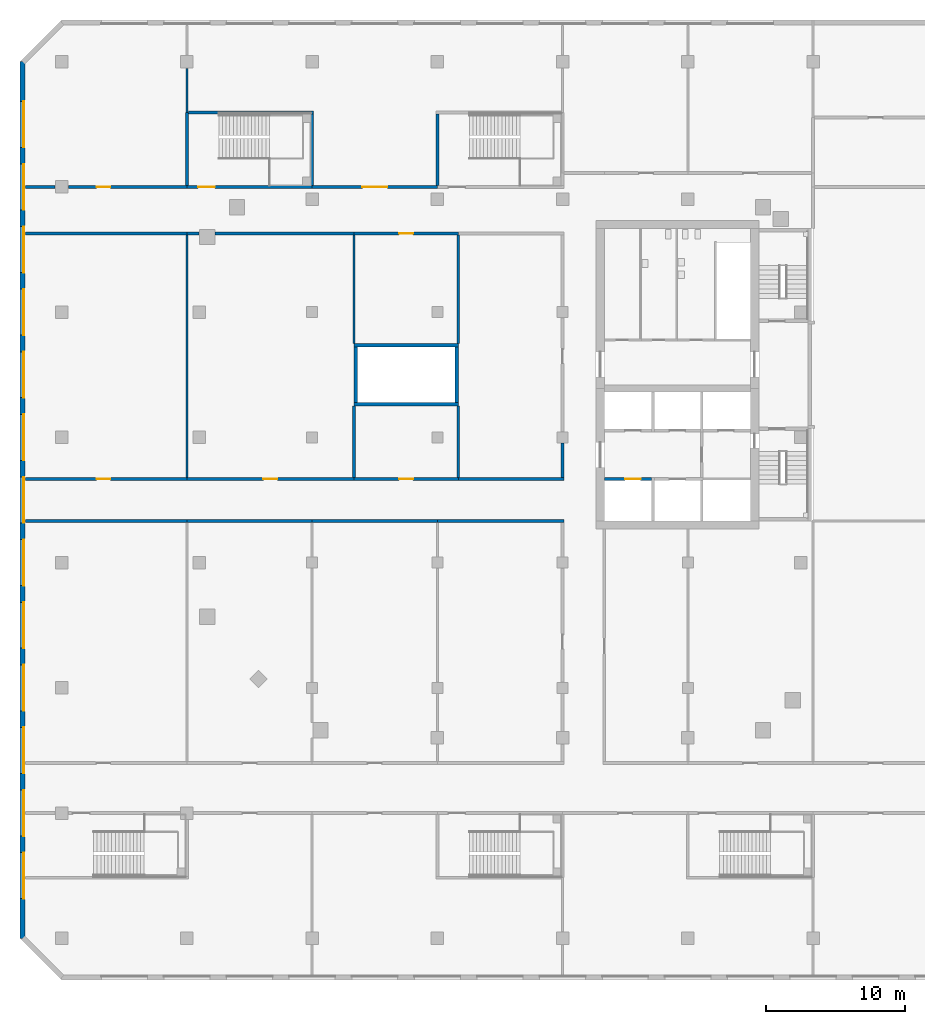
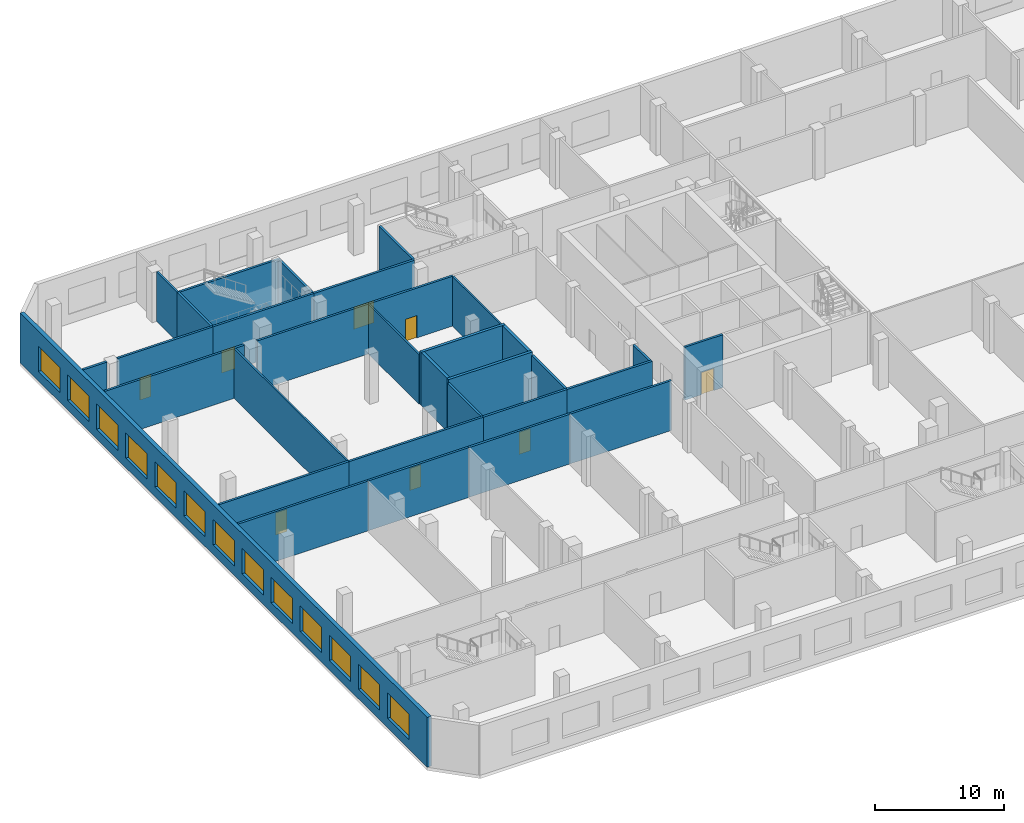
# One storey, part 5 of 21: 33 walls, 13 windows, 8 doors, 21 openings.
"""IFC4 building model written with IfcOpenShell, lengths in metres."""

from ifc_helpers import new_model, si_unit, direction, frame, frame_2d, origin, place, context, subcontext, project, spatial, rectangle, extrude, material, layer, layer_set, type_object, element, fill, save


model = new_model("IFC4")

# Units and contexts
model_context = context("Model", 3, precision=1e-05, world=origin(), true_north=direction((0.0, 1.0)))
body_context = subcontext(model_context, "Body", "Model", "MODEL_VIEW")
ifc_project = project(units=[si_unit("LENGTHUNIT", "METRE"), si_unit("AREAUNIT", "SQUARE_METRE"), si_unit("VOLUMEUNIT", "CUBIC_METRE"), si_unit("PLANEANGLEUNIT", "RADIAN"), si_unit("MASSUNIT", "GRAM", prefix="KILO")], contexts=[model_context])

# Site, building, storey
site_placement = place(None, origin())
site = spatial("IfcSite", under=ifc_project, at=site_placement, CompositionType="ELEMENT")
building_placement = place(site_placement, origin())
building = spatial("IfcBuilding", under=site, at=building_placement, Name="Cinnabar Reach Civic Tower", CompositionType="ELEMENT")
storey_placement = place(building_placement, frame((0.0, 0.0, 11.0)))
storey = spatial("IfcBuildingStorey", under=building, at=storey_placement, Name="L02", CompositionType="ELEMENT", Elevation=11.0)

# Wall, openings, windows
ifc_material_1 = material(Name="Facing brick with insulated backing", Category="masonry")
ifc_layer_1 = layer(ifc_material_1, 0.36)
ifc_layer_set_1 = layer_set([ifc_layer_1], Name="Brick pier and spandrel wall")
wall_type_1 = type_object("IfcWallType", Name="Brick pier and spandrel wall", PredefinedType="STANDARD", material=ifc_layer_set_1)
wall_1_placement = place(storey_placement, frame((-83.82, 54.0, 0.0), z_axis=(0.0, 0.0, 1.0), x_axis=(0.0, -1.0, 0.0)))
wall_1 = element("IfcWall", 1, at=wall_1_placement, inside=storey, type_object=wall_type_1, Name="Brick facade wall", PredefinedType="STANDARD", context=body_context, shape_type="SweptSolid", body=[
    extrude(rectangle(XDim=63.0, YDim=0.36, at=frame_2d((31.5, 0.0))), origin(), (0.0, 0.0, 1.0), 4.7),
])
opening_1_placement = place(wall_1_placement, frame((2.85, 0.0, 0.9)))
opening_1 = element("IfcOpeningElement", 2, at=opening_1_placement, cuts=wall_1, Name="Opening W3000", PredefinedType="OPENING", context=body_context, shape_type="SweptSolid", body=[
    extrude(rectangle(XDim=3.3, YDim=2.4, at=frame_2d((1.65, 1.2))), frame((0.0, 0.19, 0.0), z_axis=(0.0, -1.0, 0.0), x_axis=(1.0, 0.0, 0.0)), (0.0, 0.0, 1.0), 0.38),
])
opening_2_placement = place(wall_1_placement, frame((7.35, 0.0, 0.9)))
opening_2 = element("IfcOpeningElement", 3, at=opening_2_placement, cuts=wall_1, Name="Opening W3001", PredefinedType="OPENING", context=body_context, shape_type="SweptSolid", body=[
    extrude(rectangle(XDim=3.3, YDim=2.4, at=frame_2d((1.65, 1.2))), frame((0.0, 0.19, 0.0), z_axis=(0.0, -1.0, 0.0), x_axis=(1.0, 0.0, 0.0)), (0.0, 0.0, 1.0), 0.38),
])
opening_3_placement = place(wall_1_placement, frame((11.85, 0.0, 0.9)))
opening_3 = element("IfcOpeningElement", 4, at=opening_3_placement, cuts=wall_1, Name="Opening W3002", PredefinedType="OPENING", context=body_context, shape_type="SweptSolid", body=[
    extrude(rectangle(XDim=3.3, YDim=2.4, at=frame_2d((1.65, 1.2))), frame((0.0, 0.19, 0.0), z_axis=(0.0, -1.0, 0.0), x_axis=(1.0, 0.0, 0.0)), (0.0, 0.0, 1.0), 0.38),
])
opening_4_placement = place(wall_1_placement, frame((16.35, 0.0, 0.9)))
opening_4 = element("IfcOpeningElement", 5, at=opening_4_placement, cuts=wall_1, Name="Opening W3003", PredefinedType="OPENING", context=body_context, shape_type="SweptSolid", body=[
    extrude(rectangle(XDim=3.3, YDim=2.4, at=frame_2d((1.65, 1.2))), frame((0.0, 0.19, 0.0), z_axis=(0.0, -1.0, 0.0), x_axis=(1.0, 0.0, 0.0)), (0.0, 0.0, 1.0), 0.38),
])
opening_5_placement = place(wall_1_placement, frame((20.85, 0.0, 0.9)))
opening_5 = element("IfcOpeningElement", 6, at=opening_5_placement, cuts=wall_1, Name="Opening W3004", PredefinedType="OPENING", context=body_context, shape_type="SweptSolid", body=[
    extrude(rectangle(XDim=3.3, YDim=2.4, at=frame_2d((1.65, 1.2))), frame((0.0, 0.19, 0.0), z_axis=(0.0, -1.0, 0.0), x_axis=(1.0, 0.0, 0.0)), (0.0, 0.0, 1.0), 0.38),
])
opening_6_placement = place(wall_1_placement, frame((25.35, 0.0, 0.9)))
opening_6 = element("IfcOpeningElement", 7, at=opening_6_placement, cuts=wall_1, Name="Opening W3005", PredefinedType="OPENING", context=body_context, shape_type="SweptSolid", body=[
    extrude(rectangle(XDim=3.3, YDim=2.4, at=frame_2d((1.65, 1.2))), frame((0.0, 0.19, 0.0), z_axis=(0.0, -1.0, 0.0), x_axis=(1.0, 0.0, 0.0)), (0.0, 0.0, 1.0), 0.38),
])
opening_7_placement = place(wall_1_placement, frame((29.85, 0.0, 0.9)))
opening_7 = element("IfcOpeningElement", 8, at=opening_7_placement, cuts=wall_1, Name="Opening W3006", PredefinedType="OPENING", context=body_context, shape_type="SweptSolid", body=[
    extrude(rectangle(XDim=3.3, YDim=2.4, at=frame_2d((1.65, 1.2))), frame((0.0, 0.19, 0.0), z_axis=(0.0, -1.0, 0.0), x_axis=(1.0, 0.0, 0.0)), (0.0, 0.0, 1.0), 0.38),
])
opening_8_placement = place(wall_1_placement, frame((34.35, 0.0, 0.9)))
opening_8 = element("IfcOpeningElement", 9, at=opening_8_placement, cuts=wall_1, Name="Opening W3007", PredefinedType="OPENING", context=body_context, shape_type="SweptSolid", body=[
    extrude(rectangle(XDim=3.3, YDim=2.4, at=frame_2d((1.65, 1.2))), frame((0.0, 0.19, 0.0), z_axis=(0.0, -1.0, 0.0), x_axis=(1.0, 0.0, 0.0)), (0.0, 0.0, 1.0), 0.38),
])
opening_9_placement = place(wall_1_placement, frame((38.85, 0.0, 0.9)))
opening_9 = element("IfcOpeningElement", 10, at=opening_9_placement, cuts=wall_1, Name="Opening W3008", PredefinedType="OPENING", context=body_context, shape_type="SweptSolid", body=[
    extrude(rectangle(XDim=3.3, YDim=2.4, at=frame_2d((1.65, 1.2))), frame((0.0, 0.19, 0.0), z_axis=(0.0, -1.0, 0.0), x_axis=(1.0, 0.0, 0.0)), (0.0, 0.0, 1.0), 0.38),
])
opening_10_placement = place(wall_1_placement, frame((43.35, 0.0, 0.9)))
opening_10 = element("IfcOpeningElement", 11, at=opening_10_placement, cuts=wall_1, Name="Opening W3009", PredefinedType="OPENING", context=body_context, shape_type="SweptSolid", body=[
    extrude(rectangle(XDim=3.3, YDim=2.4, at=frame_2d((1.65, 1.2))), frame((0.0, 0.19, 0.0), z_axis=(0.0, -1.0, 0.0), x_axis=(1.0, 0.0, 0.0)), (0.0, 0.0, 1.0), 0.38),
])
opening_11_placement = place(wall_1_placement, frame((47.85, 0.0, 0.9)))
opening_11 = element("IfcOpeningElement", 12, at=opening_11_placement, cuts=wall_1, Name="Opening W3010", PredefinedType="OPENING", context=body_context, shape_type="SweptSolid", body=[
    extrude(rectangle(XDim=3.3, YDim=2.4, at=frame_2d((1.65, 1.2))), frame((0.0, 0.19, 0.0), z_axis=(0.0, -1.0, 0.0), x_axis=(1.0, 0.0, 0.0)), (0.0, 0.0, 1.0), 0.38),
])
opening_12_placement = place(wall_1_placement, frame((52.35, 0.0, 0.9)))
opening_12 = element("IfcOpeningElement", 13, at=opening_12_placement, cuts=wall_1, Name="Opening W3011", PredefinedType="OPENING", context=body_context, shape_type="SweptSolid", body=[
    extrude(rectangle(XDim=3.3, YDim=2.4, at=frame_2d((1.65, 1.2))), frame((0.0, 0.19, 0.0), z_axis=(0.0, -1.0, 0.0), x_axis=(1.0, 0.0, 0.0)), (0.0, 0.0, 1.0), 0.38),
])
opening_13_placement = place(wall_1_placement, frame((56.85, 0.0, 0.9)))
opening_13 = element("IfcOpeningElement", 14, at=opening_13_placement, cuts=wall_1, Name="Opening W3012", PredefinedType="OPENING", context=body_context, shape_type="SweptSolid", body=[
    extrude(rectangle(XDim=3.3, YDim=2.4, at=frame_2d((1.65, 1.2))), frame((0.0, 0.19, 0.0), z_axis=(0.0, -1.0, 0.0), x_axis=(1.0, 0.0, 0.0)), (0.0, 0.0, 1.0), 0.38),
])
ifc_material_2 = material(Name="Clear double glazing in aluminium frame", Category="aluminium")
window_type = type_object("IfcWindowType", Name="Podium window P", PartitioningType="SINGLE_PANEL", PredefinedType="WINDOW", material=ifc_material_2)
window_1_placement = place(opening_1_placement, origin())
window_1 = element("IfcWindow", 15, at=window_1_placement, inside=storey, type_object=window_type, Name="Window west face", OverallHeight=2.4, OverallWidth=3.3, PartitioningType="SINGLE_PANEL", PredefinedType="WINDOW", context=body_context, shape_type="SweptSolid", body=[
    extrude(rectangle(XDim=3.3, YDim=2.4, at=frame_2d((1.65, 1.2))), frame((0.0, 0.13, 0.0), z_axis=(0.0, -1.0, 0.0), x_axis=(1.0, 0.0, 0.0)), (0.0, 0.0, 1.0), 0.06),
])
fill(opening_1, window_1)
window_2_placement = place(opening_2_placement, origin())
window_2 = element("IfcWindow", 16, at=window_2_placement, inside=storey, type_object=window_type, Name="Window west face", OverallHeight=2.4, OverallWidth=3.3, PartitioningType="SINGLE_PANEL", PredefinedType="WINDOW", context=body_context, shape_type="SweptSolid", body=[
    extrude(rectangle(XDim=3.3, YDim=2.4, at=frame_2d((1.65, 1.2))), frame((0.0, 0.13, 0.0), z_axis=(0.0, -1.0, 0.0), x_axis=(1.0, 0.0, 0.0)), (0.0, 0.0, 1.0), 0.06),
])
fill(opening_2, window_2)
window_3_placement = place(opening_3_placement, origin())
window_3 = element("IfcWindow", 17, at=window_3_placement, inside=storey, type_object=window_type, Name="Window west face", OverallHeight=2.4, OverallWidth=3.3, PartitioningType="SINGLE_PANEL", PredefinedType="WINDOW", context=body_context, shape_type="SweptSolid", body=[
    extrude(rectangle(XDim=3.3, YDim=2.4, at=frame_2d((1.65, 1.2))), frame((0.0, 0.13, 0.0), z_axis=(0.0, -1.0, 0.0), x_axis=(1.0, 0.0, 0.0)), (0.0, 0.0, 1.0), 0.06),
])
fill(opening_3, window_3)
window_4_placement = place(opening_4_placement, origin())
window_4 = element("IfcWindow", 18, at=window_4_placement, inside=storey, type_object=window_type, Name="Window west face", OverallHeight=2.4, OverallWidth=3.3, PartitioningType="SINGLE_PANEL", PredefinedType="WINDOW", context=body_context, shape_type="SweptSolid", body=[
    extrude(rectangle(XDim=3.3, YDim=2.4, at=frame_2d((1.65, 1.2))), frame((0.0, 0.13, 0.0), z_axis=(0.0, -1.0, 0.0), x_axis=(1.0, 0.0, 0.0)), (0.0, 0.0, 1.0), 0.06),
])
fill(opening_4, window_4)
window_5_placement = place(opening_5_placement, origin())
window_5 = element("IfcWindow", 19, at=window_5_placement, inside=storey, type_object=window_type, Name="Window west face", OverallHeight=2.4, OverallWidth=3.3, PartitioningType="SINGLE_PANEL", PredefinedType="WINDOW", context=body_context, shape_type="SweptSolid", body=[
    extrude(rectangle(XDim=3.3, YDim=2.4, at=frame_2d((1.65, 1.2))), frame((0.0, 0.13, 0.0), z_axis=(0.0, -1.0, 0.0), x_axis=(1.0, 0.0, 0.0)), (0.0, 0.0, 1.0), 0.06),
])
fill(opening_5, window_5)
window_6_placement = place(opening_6_placement, origin())
window_6 = element("IfcWindow", 20, at=window_6_placement, inside=storey, type_object=window_type, Name="Window west face", OverallHeight=2.4, OverallWidth=3.3, PartitioningType="SINGLE_PANEL", PredefinedType="WINDOW", context=body_context, shape_type="SweptSolid", body=[
    extrude(rectangle(XDim=3.3, YDim=2.4, at=frame_2d((1.65, 1.2))), frame((0.0, 0.13, 0.0), z_axis=(0.0, -1.0, 0.0), x_axis=(1.0, 0.0, 0.0)), (0.0, 0.0, 1.0), 0.06),
])
fill(opening_6, window_6)
window_7_placement = place(opening_7_placement, origin())
window_7 = element("IfcWindow", 21, at=window_7_placement, inside=storey, type_object=window_type, Name="Window west face", OverallHeight=2.4, OverallWidth=3.3, PartitioningType="SINGLE_PANEL", PredefinedType="WINDOW", context=body_context, shape_type="SweptSolid", body=[
    extrude(rectangle(XDim=3.3, YDim=2.4, at=frame_2d((1.65, 1.2))), frame((0.0, 0.13, 0.0), z_axis=(0.0, -1.0, 0.0), x_axis=(1.0, 0.0, 0.0)), (0.0, 0.0, 1.0), 0.06),
])
fill(opening_7, window_7)
window_8_placement = place(opening_8_placement, origin())
window_8 = element("IfcWindow", 22, at=window_8_placement, inside=storey, type_object=window_type, Name="Window west face", OverallHeight=2.4, OverallWidth=3.3, PartitioningType="SINGLE_PANEL", PredefinedType="WINDOW", context=body_context, shape_type="SweptSolid", body=[
    extrude(rectangle(XDim=3.3, YDim=2.4, at=frame_2d((1.65, 1.2))), frame((0.0, 0.13, 0.0), z_axis=(0.0, -1.0, 0.0), x_axis=(1.0, 0.0, 0.0)), (0.0, 0.0, 1.0), 0.06),
])
fill(opening_8, window_8)
window_9_placement = place(opening_9_placement, origin())
window_9 = element("IfcWindow", 23, at=window_9_placement, inside=storey, type_object=window_type, Name="Window west face", OverallHeight=2.4, OverallWidth=3.3, PartitioningType="SINGLE_PANEL", PredefinedType="WINDOW", context=body_context, shape_type="SweptSolid", body=[
    extrude(rectangle(XDim=3.3, YDim=2.4, at=frame_2d((1.65, 1.2))), frame((0.0, 0.13, 0.0), z_axis=(0.0, -1.0, 0.0), x_axis=(1.0, 0.0, 0.0)), (0.0, 0.0, 1.0), 0.06),
])
fill(opening_9, window_9)
window_10_placement = place(opening_10_placement, origin())
window_10 = element("IfcWindow", 24, at=window_10_placement, inside=storey, type_object=window_type, Name="Window west face", OverallHeight=2.4, OverallWidth=3.3, PartitioningType="SINGLE_PANEL", PredefinedType="WINDOW", context=body_context, shape_type="SweptSolid", body=[
    extrude(rectangle(XDim=3.3, YDim=2.4, at=frame_2d((1.65, 1.2))), frame((0.0, 0.13, 0.0), z_axis=(0.0, -1.0, 0.0), x_axis=(1.0, 0.0, 0.0)), (0.0, 0.0, 1.0), 0.06),
])
fill(opening_10, window_10)
window_11_placement = place(opening_11_placement, origin())
window_11 = element("IfcWindow", 25, at=window_11_placement, inside=storey, type_object=window_type, Name="Window west face", OverallHeight=2.4, OverallWidth=3.3, PartitioningType="SINGLE_PANEL", PredefinedType="WINDOW", context=body_context, shape_type="SweptSolid", body=[
    extrude(rectangle(XDim=3.3, YDim=2.4, at=frame_2d((1.65, 1.2))), frame((0.0, 0.13, 0.0), z_axis=(0.0, -1.0, 0.0), x_axis=(1.0, 0.0, 0.0)), (0.0, 0.0, 1.0), 0.06),
])
fill(opening_11, window_11)
window_12_placement = place(opening_12_placement, origin())
window_12 = element("IfcWindow", 26, at=window_12_placement, inside=storey, type_object=window_type, Name="Window west face", OverallHeight=2.4, OverallWidth=3.3, PartitioningType="SINGLE_PANEL", PredefinedType="WINDOW", context=body_context, shape_type="SweptSolid", body=[
    extrude(rectangle(XDim=3.3, YDim=2.4, at=frame_2d((1.65, 1.2))), frame((0.0, 0.13, 0.0), z_axis=(0.0, -1.0, 0.0), x_axis=(1.0, 0.0, 0.0)), (0.0, 0.0, 1.0), 0.06),
])
fill(opening_12, window_12)
window_13_placement = place(opening_13_placement, origin())
window_13 = element("IfcWindow", 27, at=window_13_placement, inside=storey, type_object=window_type, Name="Window west face", OverallHeight=2.4, OverallWidth=3.3, PartitioningType="SINGLE_PANEL", PredefinedType="WINDOW", context=body_context, shape_type="SweptSolid", body=[
    extrude(rectangle(XDim=3.3, YDim=2.4, at=frame_2d((1.65, 1.2))), frame((0.0, 0.13, 0.0), z_axis=(0.0, -1.0, 0.0), x_axis=(1.0, 0.0, 0.0)), (0.0, 0.0, 1.0), 0.06),
])
fill(opening_13, window_13)

# Walls
ifc_material_3 = material(Name="Concrete blockwork", Category="masonry")
ifc_layer_2 = layer(ifc_material_3, 0.2)
ifc_layer_set_2 = layer_set([ifc_layer_2], Name="Podium masonry corridor wall 200 EI 120")
wall_type_2 = type_object("IfcWallType", Name="Podium masonry corridor wall 200 EI 120", PredefinedType="PARTITIONING", material=ifc_layer_set_2)
wall_2_placement = place(storey_placement, frame((-45.0, 24.1, 0.0), z_axis=(0.0, 0.0, 1.0), x_axis=(0.0, 1.0, 0.0)))
element("IfcWall", 28, at=wall_2_placement, inside=storey, type_object=wall_type_2, Name="Wall L02 70", PredefinedType="PARTITIONING", context=body_context, shape_type="SweptSolid", body=[
    extrude(rectangle(XDim=2.48, YDim=0.2, at=frame_2d((1.24, 0.0))), origin(), (0.0, 0.0, 1.0), 4.7),
])
wall_3_placement = place(storey_placement, frame((-83.6, 21.0, 0.0), z_axis=(0.0, 0.0, 1.0), x_axis=(1.0, 0.0, 0.0)))
element("IfcWall", 29, at=wall_3_placement, inside=storey, type_object=wall_type_2, Name="Wall L02 73", PredefinedType="PARTITIONING", context=body_context, shape_type="SweptSolid", body=[
    extrude(rectangle(XDim=11.6, YDim=0.2, at=frame_2d((5.8, 0.0))), origin(), (0.0, 0.0, 1.0), 4.7),
])
for number, where, z_axis, x_axis, name in (
    (30, (-72.0, 21.0, 0.0), (0.0, 0.0, 1.0), (1.0, 0.0, 0.0), "Wall L02 74"),
    (31, (-63.0, 21.0, 0.0), (0.0, 0.0, 1.0), (1.0, 0.0, 0.0), "Wall L02 75"),
):
    element("IfcWall", number, at=place(storey_placement, frame(where, z_axis=z_axis, x_axis=x_axis)), inside=storey, type_object=wall_type_2, Name=name, PredefinedType="PARTITIONING", context=body_context, shape_type="SweptSolid", body=[
        extrude(rectangle(XDim=9.0, YDim=0.2, at=frame_2d((4.5, 0.0))), origin(), (0.0, 0.0, 1.0), 4.7),
    ])
wall_4_placement = place(storey_placement, frame((-54.0, 21.0, 0.0), z_axis=(0.0, 0.0, 1.0), x_axis=(1.0, 0.0, 0.0)))
element("IfcWall", 32, at=wall_4_placement, inside=storey, type_object=wall_type_2, Name="Wall L02 76", PredefinedType="PARTITIONING", context=body_context, shape_type="SweptSolid", body=[
    extrude(rectangle(XDim=9.1, YDim=0.2, at=frame_2d((4.55, 0.0))), origin(), (0.0, 0.0, 1.0), 4.7),
])

# Wall, opening, door
wall_5_placement = place(storey_placement, frame((-83.6, 24.0, 0.0), z_axis=(0.0, 0.0, 1.0), x_axis=(1.0, 0.0, 0.0)))
wall_5 = element("IfcWall", 33, at=wall_5_placement, inside=storey, type_object=wall_type_2, Name="Wall L02 77", PredefinedType="PARTITIONING", context=body_context, shape_type="SweptSolid", body=[
    extrude(rectangle(XDim=11.6, YDim=0.2, at=frame_2d((5.8, 0.0))), origin(), (0.0, 0.0, 1.0), 4.7),
])
opening_14_placement = place(wall_5_placement, frame((5.1, 0.0, 0.0)))
opening_14 = element("IfcOpeningElement", 34, at=opening_14_placement, cuts=wall_5, Name="Opening D1133", PredefinedType="OPENING", context=body_context, shape_type="SweptSolid", body=[
    extrude(rectangle(XDim=1.0, YDim=2.1, at=frame_2d((0.5, 1.05))), frame((0.0, 0.11, 0.0), z_axis=(0.0, -1.0, 0.0), x_axis=(1.0, 0.0, 0.0)), (0.0, 0.0, 1.0), 0.22),
])
ifc_material_4 = material(Name="Painted steel door leaf", Category="steel")
door_type_1 = type_object("IfcDoorType", Name="Podium single door 1000x2100", OperationType="SINGLE_SWING_LEFT", PredefinedType="DOOR", material=ifc_material_4)
door_1_placement = place(opening_14_placement, origin())
door_1 = element("IfcDoor", 35, at=door_1_placement, inside=storey, type_object=door_type_1, Name="Door D1133", OperationType="SINGLE_SWING_RIGHT", OverallHeight=2.1, OverallWidth=1.0, PredefinedType="DOOR", context=body_context, shape_type="SweptSolid", body=[
    extrude(rectangle(XDim=1.0, YDim=2.1, at=frame_2d((0.5, 1.05))), frame((0.0, 0.025, 0.0), z_axis=(0.0, -1.0, 0.0), x_axis=(1.0, 0.0, 0.0)), (0.0, 0.0, 1.0), 0.05),
])
fill(opening_14, door_1)

wall_6_placement = place(storey_placement, frame((-72.0, 24.0, 0.0), z_axis=(0.0, 0.0, 1.0), x_axis=(1.0, 0.0, 0.0)))
wall_6 = element("IfcWall", 36, at=wall_6_placement, inside=storey, type_object=wall_type_2, Name="Wall L02 78", PredefinedType="PARTITIONING", context=body_context, shape_type="SweptSolid", body=[
    extrude(rectangle(XDim=12.0, YDim=0.2, at=frame_2d((6.0, 0.0))), origin(), (0.0, 0.0, 1.0), 4.7),
])
opening_15_placement = place(wall_6_placement, frame((5.5, 0.0, 0.0)))
opening_15 = element("IfcOpeningElement", 37, at=opening_15_placement, cuts=wall_6, Name="Opening D1134", PredefinedType="OPENING", context=body_context, shape_type="SweptSolid", body=[
    extrude(rectangle(XDim=1.0, YDim=2.1, at=frame_2d((0.5, 1.05))), frame((0.0, 0.11, 0.0), z_axis=(0.0, -1.0, 0.0), x_axis=(1.0, 0.0, 0.0)), (0.0, 0.0, 1.0), 0.22),
])
door_2_placement = place(opening_15_placement, origin())
door_2 = element("IfcDoor", 38, at=door_2_placement, inside=storey, type_object=door_type_1, Name="Door D1134", OperationType="SINGLE_SWING_LEFT", OverallHeight=2.1, OverallWidth=1.0, PredefinedType="DOOR", context=body_context, shape_type="SweptSolid", body=[
    extrude(rectangle(XDim=1.0, YDim=2.1, at=frame_2d((0.5, 1.05))), frame((0.0, 0.025, 0.0), z_axis=(0.0, -1.0, 0.0), x_axis=(1.0, 0.0, 0.0)), (0.0, 0.0, 1.0), 0.05),
])
fill(opening_15, door_2)

wall_7_placement = place(storey_placement, frame((-60.0, 24.0, 0.0), z_axis=(0.0, 0.0, 1.0), x_axis=(1.0, 0.0, 0.0)))
wall_7 = element("IfcWall", 39, at=wall_7_placement, inside=storey, type_object=wall_type_2, Name="Wall L02 79", PredefinedType="PARTITIONING", context=body_context, shape_type="SweptSolid", body=[
    extrude(rectangle(XDim=7.5, YDim=0.2, at=frame_2d((3.75, 0.0))), origin(), (0.0, 0.0, 1.0), 4.7),
])
opening_16_placement = place(wall_7_placement, frame((3.25, 0.0, 0.0)))
opening_16 = element("IfcOpeningElement", 40, at=opening_16_placement, cuts=wall_7, Name="Opening D1135", PredefinedType="OPENING", context=body_context, shape_type="SweptSolid", body=[
    extrude(rectangle(XDim=1.0, YDim=2.1, at=frame_2d((0.5, 1.05))), frame((0.0, 0.11, 0.0), z_axis=(0.0, -1.0, 0.0), x_axis=(1.0, 0.0, 0.0)), (0.0, 0.0, 1.0), 0.22),
])
door_3_placement = place(opening_16_placement, origin())
door_3 = element("IfcDoor", 41, at=door_3_placement, inside=storey, type_object=door_type_1, Name="Door D1135", OperationType="SINGLE_SWING_RIGHT", OverallHeight=2.1, OverallWidth=1.0, PredefinedType="DOOR", context=body_context, shape_type="SweptSolid", body=[
    extrude(rectangle(XDim=1.0, YDim=2.1, at=frame_2d((0.5, 1.05))), frame((0.0, 0.025, 0.0), z_axis=(0.0, -1.0, 0.0), x_axis=(1.0, 0.0, 0.0)), (0.0, 0.0, 1.0), 0.05),
])
fill(opening_16, door_3)

# Walls
wall_8_placement = place(storey_placement, frame((-52.5, 24.0, 0.0), z_axis=(0.0, 0.0, 1.0), x_axis=(1.0, 0.0, 0.0)))
element("IfcWall", 42, at=wall_8_placement, inside=storey, type_object=wall_type_2, Name="Wall L02 80", PredefinedType="PARTITIONING", context=body_context, shape_type="SweptSolid", body=[
    extrude(rectangle(XDim=7.6, YDim=0.2, at=frame_2d((3.8, 0.0))), origin(), (0.0, 0.0, 1.0), 4.7),
])
wall_9_placement = place(storey_placement, frame((-83.6, 41.65, 0.0), z_axis=(0.0, 0.0, 1.0), x_axis=(1.0, 0.0, 0.0)))
element("IfcWall", 43, at=wall_9_placement, inside=storey, type_object=wall_type_2, Name="Wall L02 81", PredefinedType="PARTITIONING", context=body_context, shape_type="SweptSolid", body=[
    extrude(rectangle(XDim=11.6, YDim=0.2, at=frame_2d((5.8, 0.0))), origin(), (0.0, 0.0, 1.0), 4.7),
])
wall_10_placement = place(storey_placement, frame((-72.0, 41.65, 0.0), z_axis=(0.0, 0.0, 1.0), x_axis=(1.0, 0.0, 0.0)))
element("IfcWall", 44, at=wall_10_placement, inside=storey, type_object=wall_type_2, Name="Wall L02 82", PredefinedType="PARTITIONING", context=body_context, shape_type="SweptSolid", body=[
    extrude(rectangle(XDim=0.8831, YDim=0.2, at=frame_2d((0.4415, 0.0))), origin(), (0.0, 0.0, 1.0), 4.7),
])
wall_11_placement = place(storey_placement, frame((-69.9769, 41.65, 0.0), z_axis=(0.0, 0.0, 1.0), x_axis=(1.0, 0.0, 0.0)))
element("IfcWall", 45, at=wall_11_placement, inside=storey, type_object=wall_type_2, Name="Wall L02 83", PredefinedType="PARTITIONING", context=body_context, shape_type="SweptSolid", body=[
    extrude(rectangle(XDim=9.9769, YDim=0.2, at=frame_2d((4.9885, 0.0))), origin(), (0.0, 0.0, 1.0), 4.7),
])

# Wall, opening, door
wall_12_placement = place(storey_placement, frame((-60.0, 41.65, 0.0), z_axis=(0.0, 0.0, 1.0), x_axis=(1.0, 0.0, 0.0)))
wall_12 = element("IfcWall", 46, at=wall_12_placement, inside=storey, type_object=wall_type_2, Name="Wall L02 84", PredefinedType="PARTITIONING", context=body_context, shape_type="SweptSolid", body=[
    extrude(rectangle(XDim=7.5, YDim=0.2, at=frame_2d((3.75, 0.0))), origin(), (0.0, 0.0, 1.0), 4.7),
])
opening_17_placement = place(wall_12_placement, frame((3.25, 0.0, 0.0)))
opening_17 = element("IfcOpeningElement", 47, at=opening_17_placement, cuts=wall_12, Name="Opening D1136", PredefinedType="OPENING", context=body_context, shape_type="SweptSolid", body=[
    extrude(rectangle(XDim=1.0, YDim=2.1, at=frame_2d((0.5, 1.05))), frame((0.0, 0.11, 0.0), z_axis=(0.0, -1.0, 0.0), x_axis=(1.0, 0.0, 0.0)), (0.0, 0.0, 1.0), 0.22),
])
door_4_placement = place(opening_17_placement, frame((1.0, 0.0, 0.0), z_axis=(0.0, 0.0, 1.0), x_axis=(-1.0, 0.0, 0.0)))
door_4 = element("IfcDoor", 48, at=door_4_placement, inside=storey, type_object=door_type_1, Name="Door D1136", OperationType="SINGLE_SWING_LEFT", OverallHeight=2.1, OverallWidth=1.0, PredefinedType="DOOR", context=body_context, shape_type="SweptSolid", body=[
    extrude(rectangle(XDim=1.0, YDim=2.1, at=frame_2d((0.5, 1.05))), frame((0.0, 0.025, 0.0), z_axis=(0.0, -1.0, 0.0), x_axis=(1.0, 0.0, 0.0)), (0.0, 0.0, 1.0), 0.05),
])
fill(opening_17, door_4)

# Wall
wall_13_placement = place(storey_placement, frame((-83.6, 45.0, 0.0), z_axis=(0.0, 0.0, 1.0), x_axis=(1.0, 0.0, 0.0)))
element("IfcWall", 49, at=wall_13_placement, inside=storey, type_object=wall_type_2, Name="Wall L02 86", PredefinedType="PARTITIONING", context=body_context, shape_type="SweptSolid", body=[
    extrude(rectangle(XDim=2.13, YDim=0.2, at=frame_2d((1.065, 0.0))), origin(), (0.0, 0.0, 1.0), 4.7),
])

# Wall, opening, door
wall_14_placement = place(storey_placement, frame((-80.53, 45.0, 0.0), z_axis=(0.0, 0.0, 1.0), x_axis=(1.0, 0.0, 0.0)))
wall_14 = element("IfcWall", 50, at=wall_14_placement, inside=storey, type_object=wall_type_2, Name="Wall L02 87", PredefinedType="PARTITIONING", context=body_context, shape_type="SweptSolid", body=[
    extrude(rectangle(XDim=8.53, YDim=0.2, at=frame_2d((4.265, 0.0))), origin(), (0.0, 0.0, 1.0), 4.7),
])
opening_18_placement = place(wall_14_placement, frame((2.03, 0.0, 0.0)))
opening_18 = element("IfcOpeningElement", 51, at=opening_18_placement, cuts=wall_14, Name="Opening D1144", PredefinedType="OPENING", context=body_context, shape_type="SweptSolid", body=[
    extrude(rectangle(XDim=1.0, YDim=2.1, at=frame_2d((0.5, 1.05))), frame((0.0, 0.11, 0.0), z_axis=(0.0, -1.0, 0.0), x_axis=(1.0, 0.0, 0.0)), (0.0, 0.0, 1.0), 0.22),
])
door_5_placement = place(opening_18_placement, origin())
door_5 = element("IfcDoor", 52, at=door_5_placement, inside=storey, type_object=door_type_1, Name="Door D1144", OperationType="SINGLE_SWING_RIGHT", OverallHeight=2.1, OverallWidth=1.0, PredefinedType="DOOR", context=body_context, shape_type="SweptSolid", body=[
    extrude(rectangle(XDim=1.0, YDim=2.1, at=frame_2d((0.5, 1.05))), frame((0.0, 0.025, 0.0), z_axis=(0.0, -1.0, 0.0), x_axis=(1.0, 0.0, 0.0)), (0.0, 0.0, 1.0), 0.05),
])
fill(opening_18, door_5)

wall_15_placement = place(storey_placement, frame((-63.0, 45.0, 0.0), z_axis=(0.0, 0.0, 1.0), x_axis=(1.0, 0.0, 0.0)))
wall_15 = element("IfcWall", 53, at=wall_15_placement, inside=storey, type_object=wall_type_2, Name="Wall L02 88", PredefinedType="PARTITIONING", context=body_context, shape_type="SweptSolid", body=[
    extrude(rectangle(XDim=9.0, YDim=0.2, at=frame_2d((4.5, 0.0))), origin(), (0.0, 0.0, 1.0), 4.7),
])
opening_19_placement = place(wall_15_placement, frame((3.6, 0.0, 0.0)))
opening_19 = element("IfcOpeningElement", 54, at=opening_19_placement, cuts=wall_15, Name="Opening D1145", PredefinedType="OPENING", context=body_context, shape_type="SweptSolid", body=[
    extrude(rectangle(XDim=1.8, YDim=2.1, at=frame_2d((0.9, 1.05))), frame((0.0, 0.11, 0.0), z_axis=(0.0, -1.0, 0.0), x_axis=(1.0, 0.0, 0.0)), (0.0, 0.0, 1.0), 0.22),
])
door_type_2 = type_object("IfcDoorType", Name="Podium double door 1800x2100", OperationType="DOUBLE_DOOR_SINGLE_SWING", PredefinedType="DOOR", material=ifc_material_4)
door_6_placement = place(opening_19_placement, origin())
door_6 = element("IfcDoor", 55, at=door_6_placement, inside=storey, type_object=door_type_2, Name="Door D1145", OperationType="DOUBLE_DOOR_SINGLE_SWING", OverallHeight=2.1, OverallWidth=1.8, PredefinedType="DOOR", context=body_context, shape_type="SweptSolid", body=[
    extrude(rectangle(XDim=1.8, YDim=2.1, at=frame_2d((0.9, 1.05))), frame((0.0, 0.025, 0.0), z_axis=(0.0, -1.0, 0.0), x_axis=(1.0, 0.0, 0.0)), (0.0, 0.0, 1.0), 0.05),
])
fill(opening_19, door_6)

# Walls
for number, where, z_axis, x_axis, name in (
    (56, (-60.0, 24.1, 0.0), (0.0, 0.0, 1.0), (0.0, 1.0, 0.0), "Wall L02 204"),
    (57, (-52.5, 24.1, 0.0), (0.0, 0.0, 1.0), (0.0, 1.0, 0.0), "Wall L02 206"),
):
    element("IfcWall", number, at=place(storey_placement, frame(where, z_axis=z_axis, x_axis=x_axis)), inside=storey, type_object=wall_type_2, Name=name, PredefinedType="PARTITIONING", context=body_context, shape_type="SweptSolid", body=[
        extrude(rectangle(XDim=5.15, YDim=0.2, at=frame_2d((2.575, 0.0))), origin(), (0.0, 0.0, 1.0), 4.7),
    ])
ifc_material_5 = material(Name="Gypsum board on steel studs", Category="steel")
ifc_layer_3 = layer(ifc_material_5, 0.15)
ifc_layer_set_3 = layer_set([ifc_layer_3], Name="Podium partition wall 150 EI 90")
wall_type_3 = type_object("IfcWallType", Name="Podium partition wall 150 EI 90", PredefinedType="PARTITIONING", material=ifc_layer_set_3)
wall_16_placement = place(storey_placement, frame((-72.0, 24.1, 0.0), z_axis=(0.0, 0.0, 1.0), x_axis=(0.0, 1.0, 0.0)))
element("IfcWall", 58, at=wall_16_placement, inside=storey, type_object=wall_type_3, Name="Wall L02 203", PredefinedType="PARTITIONING", context=body_context, shape_type="SweptSolid", body=[
    extrude(rectangle(XDim=17.45, YDim=0.15, at=frame_2d((8.725, 0.0))), origin(), (0.0, 0.0, 1.0), 4.7),
])
for number, where, z_axis, x_axis, name in (
    (59, (-60.0, 33.75, 0.0), (0.0, 0.0, 1.0), (0.0, 1.0, 0.0), "Wall L02 205"),
    (60, (-52.5, 33.75, 0.0), (0.0, 0.0, 1.0), (0.0, 1.0, 0.0), "Wall L02 207"),
):
    element("IfcWall", number, at=place(storey_placement, frame(where, z_axis=z_axis, x_axis=x_axis)), inside=storey, type_object=wall_type_3, Name=name, PredefinedType="PARTITIONING", context=body_context, shape_type="SweptSolid", body=[
        extrude(rectangle(XDim=7.8, YDim=0.15, at=frame_2d((3.9, 0.0))), origin(), (0.0, 0.0, 1.0), 4.7),
    ])
wall_17_placement = place(storey_placement, frame((-72.0, 50.35, 0.0), z_axis=(0.0, 0.0, 1.0), x_axis=(0.0, 1.0, 0.0)))
element("IfcWall", 61, at=wall_17_placement, inside=storey, type_object=wall_type_3, Name="Wall L02 215", PredefinedType="PARTITIONING", context=body_context, shape_type="SweptSolid", body=[
    extrude(rectangle(XDim=3.18, YDim=0.15, at=frame_2d((1.59, 0.0))), origin(), (0.0, 0.0, 1.0), 4.7),
])

# Wall, opening, door
ifc_material_6 = material(Name="Concrete C40", Category="concrete")
ifc_layer_4 = layer(ifc_material_6, 0.2)
ifc_layer_set_4 = layer_set([ifc_layer_4], Name="Podium stair shaft wall 200 EI 120")
wall_type_4 = type_object("IfcWallType", Name="Podium stair shaft wall 200 EI 120", PredefinedType="SOLIDWALL", material=ifc_layer_set_4)
wall_18_placement = place(storey_placement, frame((-72.0, 45.0, 0.0), z_axis=(0.0, 0.0, 1.0), x_axis=(1.0, 0.0, 0.0)))
wall_18 = element("IfcWall", 62, at=wall_18_placement, inside=storey, type_object=wall_type_4, Name="Wall L02 5", PredefinedType="SOLIDWALL", context=body_context, shape_type="SweptSolid", body=[
    extrude(rectangle(XDim=9.0, YDim=0.2, at=frame_2d((4.5, 0.0))), origin(), (0.0, 0.0, 1.0), 4.7),
])
opening_20_placement = place(wall_18_placement, frame((0.8, 0.0, 0.0)))
opening_20 = element("IfcOpeningElement", 63, at=opening_20_placement, cuts=wall_18, Name="Opening D1154", PredefinedType="OPENING", context=body_context, shape_type="SweptSolid", body=[
    extrude(rectangle(XDim=1.2, YDim=2.1, at=frame_2d((0.6, 1.05))), frame((0.0, 0.11, 0.0), z_axis=(0.0, -1.0, 0.0), x_axis=(1.0, 0.0, 0.0)), (0.0, 0.0, 1.0), 0.22),
])
door_type_3 = type_object("IfcDoorType", Name="Podium single door 1200x2100", OperationType="SINGLE_SWING_LEFT", PredefinedType="DOOR", material=ifc_material_4)
door_7_placement = place(opening_20_placement, origin())
door_7 = element("IfcDoor", 64, at=door_7_placement, inside=storey, type_object=door_type_3, Name="Door D1154", OperationType="SINGLE_SWING_RIGHT", OverallHeight=2.1, OverallWidth=1.2, PredefinedType="DOOR", context=body_context, shape_type="SweptSolid", body=[
    extrude(rectangle(XDim=1.2, YDim=2.1, at=frame_2d((0.6, 1.05))), frame((0.0, 0.025, 0.0), z_axis=(0.0, -1.0, 0.0), x_axis=(1.0, 0.0, 0.0)), (0.0, 0.0, 1.0), 0.05),
])
fill(opening_20, door_7)

# Walls
wall_19_placement = place(storey_placement, frame((-72.0, 45.1, 0.0), z_axis=(0.0, 0.0, 1.0), x_axis=(0.0, 1.0, 0.0)))
element("IfcWall", 65, at=wall_19_placement, inside=storey, type_object=wall_type_4, Name="Wall L02 6", PredefinedType="SOLIDWALL", context=body_context, shape_type="SweptSolid", body=[
    extrude(rectangle(XDim=5.25, YDim=0.2, at=frame_2d((2.625, 0.0))), origin(), (0.0, 0.0, 1.0), 4.7),
])
wall_20_placement = place(storey_placement, frame((-71.9, 50.35, 0.0), z_axis=(0.0, 0.0, 1.0), x_axis=(1.0, 0.0, 0.0)))
element("IfcWall", 66, at=wall_20_placement, inside=storey, type_object=wall_type_4, Name="Wall L02 7", PredefinedType="SOLIDWALL", context=body_context, shape_type="SweptSolid", body=[
    extrude(rectangle(XDim=9.0, YDim=0.2, at=frame_2d((4.5, 0.0))), origin(), (0.0, 0.0, 1.0), 4.7),
])
for number, where, z_axis, x_axis, name in (
    (67, (-63.0, 45.1, 0.0), (0.0, 0.0, 1.0), (0.0, 1.0, 0.0), "Wall L02 8"),
    (68, (-54.0, 45.1, 0.0), (0.0, 0.0, 1.0), (0.0, 1.0, 0.0), "Wall L02 31"),
):
    element("IfcWall", number, at=place(storey_placement, frame(where, z_axis=z_axis, x_axis=x_axis)), inside=storey, type_object=wall_type_4, Name=name, PredefinedType="SOLIDWALL", context=body_context, shape_type="SweptSolid", body=[
        extrude(rectangle(XDim=5.15, YDim=0.2, at=frame_2d((2.575, 0.0))), origin(), (0.0, 0.0, 1.0), 4.7),
    ])
ifc_material_7 = material(Name="Concrete C60", Category="concrete")
ifc_layer_5 = layer(ifc_material_7, 0.25)
ifc_layer_set_5 = layer_set([ifc_layer_5], Name="Stair shaft wall 250 EI 120")
wall_type_5 = type_object("IfcWallType", Name="Stair shaft wall 250 EI 120", PredefinedType="SOLIDWALL", material=ifc_layer_set_5)
for number, where, z_axis, x_axis, name in (
    (69, (-60.0, 29.375, 0.0), (0.0, 0.0, 1.0), (1.0, 0.0, 0.0), "Stair shaft wall T2-S3 L02"),
    (70, (-52.5, 33.625, 0.0), (0.0, 0.0, 1.0), (-1.0, 0.0, 0.0), "Stair shaft wall T2-S3 L02"),
):
    element("IfcWall", number, at=place(storey_placement, frame(where, z_axis=z_axis, x_axis=x_axis)), inside=storey, type_object=wall_type_5, Name=name, PredefinedType="SOLIDWALL", context=body_context, shape_type="SweptSolid", body=[
        extrude(rectangle(XDim=7.5, YDim=0.25, at=frame_2d((3.75, 0.0))), origin(), (0.0, 0.0, 1.0), 5.0),
    ])
for number, where, z_axis, x_axis, name in (
    (71, (-52.625, 29.5, 0.0), (0.0, 0.0, 1.0), (0.0, 1.0, 0.0), "Stair shaft wall T2-S3 L02"),
    (72, (-59.875, 33.5, 0.0), (0.0, 0.0, 1.0), (0.0, -1.0, 0.0), "Stair shaft wall T2-S3 L02"),
):
    element("IfcWall", number, at=place(storey_placement, frame(where, z_axis=z_axis, x_axis=x_axis)), inside=storey, type_object=wall_type_5, Name=name, PredefinedType="SOLIDWALL", context=body_context, shape_type="SweptSolid", body=[
        extrude(rectangle(XDim=4.0, YDim=0.25, at=frame_2d((2.0, 0.0))), origin(), (0.0, 0.0, 1.0), 5.0),
    ])

# Wall, opening, door
ifc_layer_6 = layer(ifc_material_6, 0.2)
ifc_layer_set_6 = layer_set([ifc_layer_6], Name="T2 Shaft wall 200")
wall_type_6 = type_object("IfcWallType", Name="T2 Shaft wall 200", PredefinedType="SOLIDWALL", material=ifc_layer_set_6)
wall_21_placement = place(storey_placement, frame((-38.6, 24.0, 0.0), z_axis=(0.0, 0.0, 1.0), x_axis=(-1.0, 0.0, 0.0)))
wall_21 = element("IfcWall", 73, at=wall_21_placement, inside=storey, type_object=wall_type_6, Name="T2 Shaft wall L02 002", PredefinedType="SOLIDWALL", context=body_context, shape_type="SweptSolid", body=[
    extrude(rectangle(XDim=3.4, YDim=0.2, at=frame_2d((1.7, 0.0))), origin(), (0.0, 0.0, 1.0), 5.0),
])
opening_21_placement = place(wall_21_placement, frame((0.8, 0.0, 0.0)))
opening_21 = element("IfcOpeningElement", 74, at=opening_21_placement, cuts=wall_21, Name="Opening D6048", PredefinedType="OPENING", context=body_context, shape_type="SweptSolid", body=[
    extrude(rectangle(XDim=1.1, YDim=2.1, at=frame_2d((0.55, 1.05))), frame((0.0, 0.11, 0.0), z_axis=(0.0, -1.0, 0.0), x_axis=(1.0, 0.0, 0.0)), (0.0, 0.0, 1.0), 0.22),
])
ifc_material_8 = material(Name="Steel fire door", Category="steel")
door_type_4 = type_object("IfcDoorType", Name="T2 Lift landing door 1100", OperationType="SLIDING_TO_LEFT", PredefinedType="DOOR", material=ifc_material_8)
door_8_placement = place(opening_21_placement, origin())
door_8 = element("IfcDoor", 75, at=door_8_placement, inside=storey, type_object=door_type_4, Name="T2 Lift landing door D6048", OperationType="SLIDING_TO_LEFT", OverallHeight=2.1, OverallWidth=1.1, PredefinedType="DOOR", context=body_context, shape_type="SweptSolid", body=[
    extrude(rectangle(XDim=1.1, YDim=2.1, at=frame_2d((0.55, 1.05))), frame((0.0, 0.025, 0.0), z_axis=(0.0, -1.0, 0.0), x_axis=(1.0, 0.0, 0.0)), (0.0, 0.0, 1.0), 0.05),
])
fill(opening_21, door_8)

save(model, "model.ifc")
